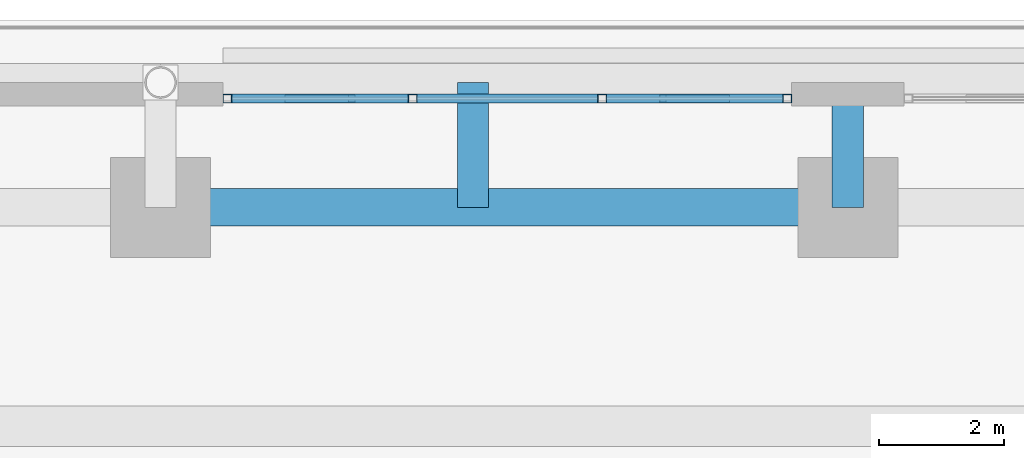
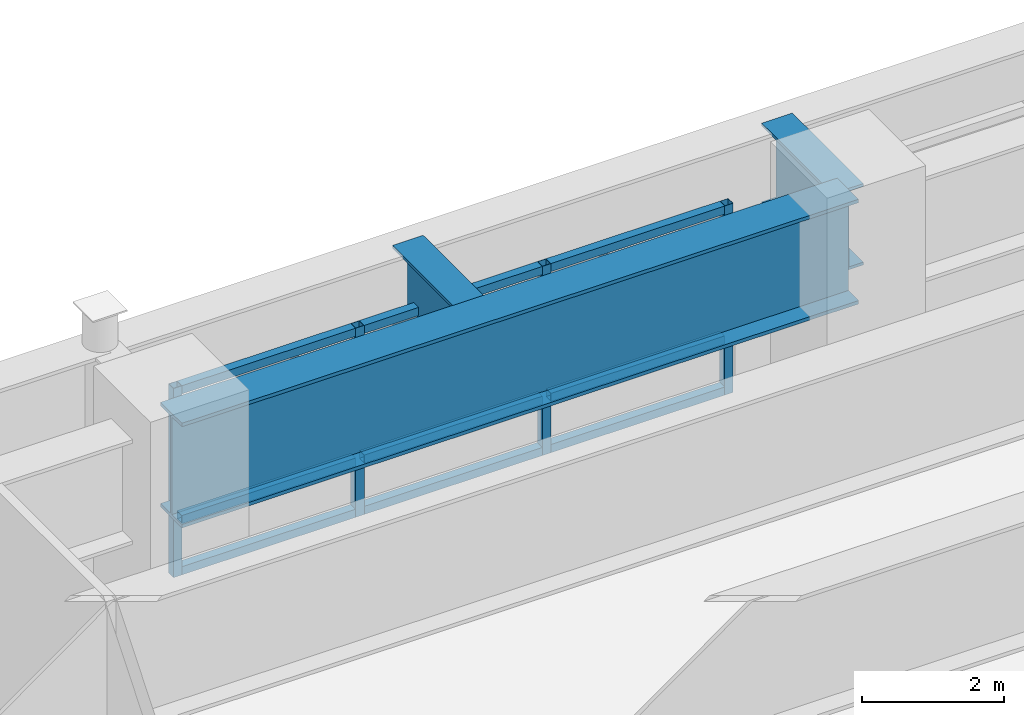
# One storey, part 17 of 35: 15 members, 3 beams, 1 element without a shape of its own.
"""IFC4 building model written with IfcOpenShell, lengths in metres."""

from ifc_helpers import new_model, si_unit, direction, frame, origin, origin_2d, place, context, subcontext, project, spatial, hollow_rectangle, i_section, extrude, source, transform, mapped, material, material_profile, profile_set, type_object, element, aggregate, save


model = new_model("IFC4")

# Units and contexts
model_context = context("Model", 3, precision=1e-05, world=origin(), true_north=direction((0.0, 1.0)))
body_context = subcontext(model_context, "Body", "Model", "MODEL_VIEW")
ifc_project = project(units=[si_unit("LENGTHUNIT", "METRE"), si_unit("AREAUNIT", "SQUARE_METRE"), si_unit("VOLUMEUNIT", "CUBIC_METRE"), si_unit("PLANEANGLEUNIT", "RADIAN"), si_unit("MASSUNIT", "GRAM", prefix="KILO")], contexts=[model_context])

# Site, building, storey
site_placement = place(None, origin())
site = spatial("IfcSite", under=ifc_project, at=site_placement, CompositionType="ELEMENT")
building_placement = place(site_placement, origin())
building = spatial("IfcBuilding", under=site, at=building_placement, Name="Khorayat Bourse Tower", CompositionType="ELEMENT")
storey_placement = place(building_placement, frame((0.0, 0.0, 22.199951171875)))
storey = spatial("IfcBuildingStorey", under=building, at=storey_placement, Name="L04", CompositionType="ELEMENT", Elevation=22.199951171875)

# Beams
ifc_material_1 = material(Name="Steel EN 10025-4 S460M", Category="steel")
ifc_material_profile_1 = material_profile(ifc_material_1, i_section(OverallWidth=0.60009765625, OverallDepth=1.800048828125, WebThickness=0.031982421875, FlangeThickness=0.06005859375, at=origin_2d()), Name="PG 1800x600x32x60")
ifc_profile_set_1 = profile_set([ifc_material_profile_1], Name="Steel EN 10025-4 S460M")
beam_type_1 = type_object("IfcBeamType", Name="BM-TR-1800", PredefinedType="BEAM", material=ifc_profile_set_1)
shared_shape_1 = source(origin(), body_context, "Body", "SweptSolid", [
    extrude(i_section(OverallWidth=0.60009765625, OverallDepth=1.800048828125, WebThickness=0.031982421875, FlangeThickness=0.06005859375, at=origin_2d()), origin(), (0.0, 0.0, 1.0), 11.0),
])
beam_placement = place(storey_placement, frame((-11.0, 32.0, 3.300048828125), z_axis=(1.0, 0.0, 0.0), x_axis=(0.0, 1.0, 0.0)))
element("IfcBeam", 1, at=beam_placement, inside=storey, type_object=beam_type_1, Name="L04 BM-TR-1800 BM-L04-PGX-086", PredefinedType="BEAM", context=body_context, shape_type="MappedRepresentation", body=[
    mapped(shared_shape_1, transform((0.0, 0.0, 0.0), scale=1.0)),
])
ifc_material_profile_2 = material_profile(ifc_material_1, i_section(OverallWidth=0.5, OverallDepth=1.39990234375, WebThickness=0.02490234375, FlangeThickness=0.050048828125, at=origin_2d()), Name="PG 1400x500x25x50")
ifc_profile_set_2 = profile_set([ifc_material_profile_2], Name="Steel EN 10025-4 S460M")
beam_type_2 = type_object("IfcBeamType", Name="BM-TR-1400", PredefinedType="BEAM", material=ifc_profile_set_2)
shared_shape_2 = source(origin(), body_context, "Body", "SweptSolid", [
    extrude(i_section(OverallWidth=0.5, OverallDepth=1.39990234375, WebThickness=0.02490234375, FlangeThickness=0.050048828125, at=origin_2d()), origin(), (0.0, 0.0, 1.0), 2.0),
])
for number, where, z_axis, x_axis, name in (
    (2, (-6.0, 32.0, 3.5), (0.0, 1.0, 0.0), (-1.0, 0.0, 0.0), "L04 BM-TR-1400 BM-L04-PGY-128"),
    (3, (0.0, 32.0, 3.5), (0.0, 1.0, 0.0), (-1.0, 0.0, 0.0), "L04 BM-TR-1400 BM-L04-PGY-130"),
):
    element("IfcBeam", number, at=place(storey_placement, frame(where, z_axis=z_axis, x_axis=x_axis)), inside=storey, type_object=beam_type_2, Name=name, PredefinedType="BEAM", context=body_context, shape_type="MappedRepresentation", body=[
        mapped(shared_shape_2, transform((0.0, 0.0, 0.0), scale=1.0)),
    ])

# Curtain wall, members
ifc_material_2 = material(Name="Aluminium EN AW-6063 T6", Category="aluminium")
curtain_wall_type = type_object("IfcCurtainWallType", Name="CW-SYS-01", PredefinedType="NOTDEFINED", material=ifc_material_2)
curtain_wall_placement = place(storey_placement, origin())
curtain_wall = element("IfcCurtainWall", 4, at=curtain_wall_placement, inside=storey, type_object=curtain_wall_type, Name="L04 Curtain Wall CW-L04-NW", PredefinedType="NOTDEFINED")
ifc_material_profile_3 = material_profile(ifc_material_2, hollow_rectangle(XDim=0.139892578125, YDim=0.139892578125, WallThickness=0.006103515625, at=origin_2d()), Name="ALU 140x140x6")
ifc_profile_set_3 = profile_set([ifc_material_profile_3], Name="Aluminium EN AW-6063 T6")
member_type_1 = type_object("IfcMemberType", Name="CWT-HORZ-140", PredefinedType="USERDEFINED", material=ifc_profile_set_3)
shared_shape_3 = source(origin(), body_context, "Body", "SweptSolid", [
    extrude(hollow_rectangle(XDim=0.139892578125, YDim=0.139892578125, WallThickness=0.006103515625, at=origin_2d()), origin(), (0.0, 0.0, 1.0), 2.823486328125),
])
member_1_placement = place(storey_placement, frame((-7.03662109375, 33.742919921875, 0.070068359375), z_axis=(-1.0, 0.0, 0.0), x_axis=(0.0, -1.0, 0.0)))
member_1 = element("IfcMember", 5, at=member_1_placement, type_object=member_type_1, Name="CW-L04-NW Horizontal Transom 3-1", ObjectType="TRANSOM", PredefinedType="USERDEFINED", context=body_context, shape_type="MappedRepresentation", body=[
    mapped(shared_shape_3, transform((0.0, 0.0, 0.0), scale=1.0)),
])
member_2_placement = place(storey_placement, frame((-7.03662109375, 33.742919921875, 0.949951171875), z_axis=(-1.0, 0.0, 0.0), x_axis=(0.0, -1.0, 0.0)))
member_2 = element("IfcMember", 6, at=member_2_placement, type_object=member_type_1, Name="CW-L04-NW Horizontal Transom 3-2", ObjectType="TRANSOM", PredefinedType="USERDEFINED", context=body_context, shape_type="MappedRepresentation", body=[
    mapped(shared_shape_3, transform((0.0, 0.0, 0.0), scale=1.0)),
])
member_3_placement = place(storey_placement, frame((-7.03662109375, 33.742919921875, 3.179931640625), z_axis=(-1.0, 0.0, 0.0), x_axis=(0.0, -1.0, 0.0)))
member_3 = element("IfcMember", 7, at=member_3_placement, type_object=member_type_1, Name="CW-L04-NW Horizontal Transom 3-3", ObjectType="TRANSOM", PredefinedType="USERDEFINED", context=body_context, shape_type="MappedRepresentation", body=[
    mapped(shared_shape_3, transform((0.0, 0.0, 0.0), scale=1.0)),
])
shared_shape_4 = source(origin(), body_context, "Body", "SweptSolid", [
    extrude(hollow_rectangle(XDim=0.139892578125, YDim=0.139892578125, WallThickness=0.006103515625, at=origin_2d()), origin(), (0.0, 0.0, 1.0), 2.893310546875),
])
member_4_placement = place(storey_placement, frame((-4.00341796875, 33.742919921875, 0.070068359375), z_axis=(-1.0, 0.0, 0.0), x_axis=(0.0, -1.0, 0.0)))
member_4 = element("IfcMember", 8, at=member_4_placement, type_object=member_type_1, Name="CW-L04-NW Horizontal Transom 2-1", ObjectType="TRANSOM", PredefinedType="USERDEFINED", context=body_context, shape_type="MappedRepresentation", body=[
    mapped(shared_shape_4, transform((0.0, 0.0, 0.0), scale=1.0)),
])
member_5_placement = place(storey_placement, frame((-4.00341796875, 33.742919921875, 0.949951171875), z_axis=(-1.0, 0.0, 0.0), x_axis=(0.0, -1.0, 0.0)))
member_5 = element("IfcMember", 9, at=member_5_placement, type_object=member_type_1, Name="CW-L04-NW Horizontal Transom 2-2", ObjectType="TRANSOM", PredefinedType="USERDEFINED", context=body_context, shape_type="MappedRepresentation", body=[
    mapped(shared_shape_4, transform((0.0, 0.0, 0.0), scale=1.0)),
])
member_6_placement = place(storey_placement, frame((-4.00341796875, 33.742919921875, 3.179931640625), z_axis=(-1.0, 0.0, 0.0), x_axis=(0.0, -1.0, 0.0)))
member_6 = element("IfcMember", 10, at=member_6_placement, type_object=member_type_1, Name="CW-L04-NW Horizontal Transom 2-3", ObjectType="TRANSOM", PredefinedType="USERDEFINED", context=body_context, shape_type="MappedRepresentation", body=[
    mapped(shared_shape_4, transform((0.0, 0.0, 0.0), scale=1.0)),
])
shared_shape_5 = source(origin(), body_context, "Body", "SweptSolid", [
    extrude(hollow_rectangle(XDim=0.139892578125, YDim=0.139892578125, WallThickness=0.006103515625, at=origin_2d()), origin(), (0.0, 0.0, 1.0), 2.8232421875),
])
member_7_placement = place(storey_placement, frame((-1.0400390625, 33.742919921875, 0.070068359375), z_axis=(-1.0, 0.0, 0.0), x_axis=(0.0, -1.0, 0.0)))
member_7 = element("IfcMember", 11, at=member_7_placement, type_object=member_type_1, Name="CW-L04-NW Horizontal Transom 1-1", ObjectType="TRANSOM", PredefinedType="USERDEFINED", context=body_context, shape_type="MappedRepresentation", body=[
    mapped(shared_shape_5, transform((0.0, 0.0, 0.0), scale=1.0)),
])
member_8_placement = place(storey_placement, frame((-1.0400390625, 33.742919921875, 0.949951171875), z_axis=(-1.0, 0.0, 0.0), x_axis=(0.0, -1.0, 0.0)))
member_8 = element("IfcMember", 12, at=member_8_placement, type_object=member_type_1, Name="CW-L04-NW Horizontal Transom 1-2", ObjectType="TRANSOM", PredefinedType="USERDEFINED", context=body_context, shape_type="MappedRepresentation", body=[
    mapped(shared_shape_5, transform((0.0, 0.0, 0.0), scale=1.0)),
])
member_9_placement = place(storey_placement, frame((-1.0400390625, 33.742919921875, 3.179931640625), z_axis=(-1.0, 0.0, 0.0), x_axis=(0.0, -1.0, 0.0)))
member_9 = element("IfcMember", 13, at=member_9_placement, type_object=member_type_1, Name="CW-L04-NW Horizontal Transom 1-3", ObjectType="TRANSOM", PredefinedType="USERDEFINED", context=body_context, shape_type="MappedRepresentation", body=[
    mapped(shared_shape_5, transform((0.0, 0.0, 0.0), scale=1.0)),
])
ifc_material_profile_4 = material_profile(ifc_material_2, hollow_rectangle(XDim=0.139892578125, YDim=0.139892578125, WallThickness=0.006103515625, at=origin_2d()), Name="ALU 140x140x6")
ifc_profile_set_4 = profile_set([ifc_material_profile_4], Name="Aluminium EN AW-6063 T6")
member_type_2 = type_object("IfcMemberType", Name="CWM-VERT-140", PredefinedType="MULLION", material=ifc_profile_set_4)
shared_shape_6 = source(origin(), body_context, "Body", "SweptSolid", [
    extrude(hollow_rectangle(XDim=0.139892578125, YDim=0.139892578125, WallThickness=0.006103515625, at=origin_2d()), origin(), (0.0, 0.0, 1.0), 3.25),
])
member_10_placement = place(storey_placement, frame((-0.969970703125, 33.742919921875, 0.0), z_axis=(0.0, 0.0, 1.0), x_axis=(0.0, -1.0, 0.0)))
member_10 = element("IfcMember", 14, at=member_10_placement, type_object=member_type_2, Name="CW-L04-NW Vertical Mullion 1", PredefinedType="MULLION", context=body_context, shape_type="MappedRepresentation", body=[
    mapped(shared_shape_6, transform((0.0, 0.0, 0.0), scale=1.0)),
])
member_11_placement = place(storey_placement, frame((-3.933349609375, 33.742919921875, 0.0), z_axis=(0.0, 0.0, 1.0), x_axis=(0.0, -1.0, 0.0)))
member_11 = element("IfcMember", 15, at=member_11_placement, type_object=member_type_2, Name="CW-L04-NW Vertical Mullion 2", PredefinedType="MULLION", context=body_context, shape_type="MappedRepresentation", body=[
    mapped(shared_shape_6, transform((0.0, 0.0, 0.0), scale=1.0)),
])
member_12_placement = place(storey_placement, frame((-6.966552734375, 33.742919921875, 0.0), z_axis=(0.0, 0.0, 1.0), x_axis=(0.0, -1.0, 0.0)))
member_12 = element("IfcMember", 16, at=member_12_placement, type_object=member_type_2, Name="CW-L04-NW Vertical Mullion 3", PredefinedType="MULLION", context=body_context, shape_type="MappedRepresentation", body=[
    mapped(shared_shape_6, transform((0.0, 0.0, 0.0), scale=1.0)),
])
member_13_placement = place(storey_placement, frame((-9.929931640625, 33.742919921875, 0.0), z_axis=(0.0, 0.0, 1.0), x_axis=(0.0, -1.0, 0.0)))
member_13 = element("IfcMember", 17, at=member_13_placement, type_object=member_type_2, Name="CW-L04-NW Vertical Mullion 4", PredefinedType="MULLION", context=body_context, shape_type="MappedRepresentation", body=[
    mapped(shared_shape_6, transform((0.0, 0.0, 0.0), scale=1.0)),
])
ifc_material_profile_5 = material_profile(ifc_material_2, hollow_rectangle(XDim=0.1201171875, YDim=0.1201171875, WallThickness=0.0048828125, at=origin_2d()), Name="ALU 120x120x5")
ifc_profile_set_5 = profile_set([ifc_material_profile_5], Name="Aluminium EN AW-6063 T6")
member_type_3 = type_object("IfcMemberType", Name="CWM-DIAG-120", PredefinedType="MULLION", material=ifc_profile_set_5)
shared_shape_7 = source(origin(), body_context, "Body", "SweptSolid", [
    extrude(hollow_rectangle(XDim=0.1201171875, YDim=0.1201171875, WallThickness=0.0048828125, at=origin_2d()), origin(), (0.0, 0.0, 1.0), 2.180908203125),
])
member_14_placement = place(storey_placement, frame((-1.94384765625, 33.742919921875, 1.10009765625), z_axis=(-0.465700293446, 0.0, 0.884942504734), x_axis=(0.0, -1.0, 0.0)))
member_14 = element("IfcMember", 18, at=member_14_placement, type_object=member_type_3, Name="CW-L04-NW Faceted Diagonal Mullion 1", PredefinedType="MULLION", context=body_context, shape_type="MappedRepresentation", body=[
    mapped(shared_shape_7, transform((0.0, 0.0, 0.0), scale=1.0)),
])
member_15_placement = place(storey_placement, frame((-8.956298828125, 33.742919921875, 1.10009765625), z_axis=(0.465787955033, 0.0, 0.884896367348), x_axis=(0.0, 1.0, 0.0)))
member_15 = element("IfcMember", 19, at=member_15_placement, type_object=member_type_3, Name="CW-L04-NW Faceted Diagonal Mullion 3", PredefinedType="MULLION", context=body_context, shape_type="MappedRepresentation", body=[
    mapped(shared_shape_7, transform((0.0, 0.0, 0.0), scale=1.0)),
])
aggregate(curtain_wall, [member_10, member_11, member_12, member_13, member_7, member_8, member_9, member_14, member_4, member_5, member_6, member_1, member_2, member_3, member_15])

save(model, "model.ifc")
